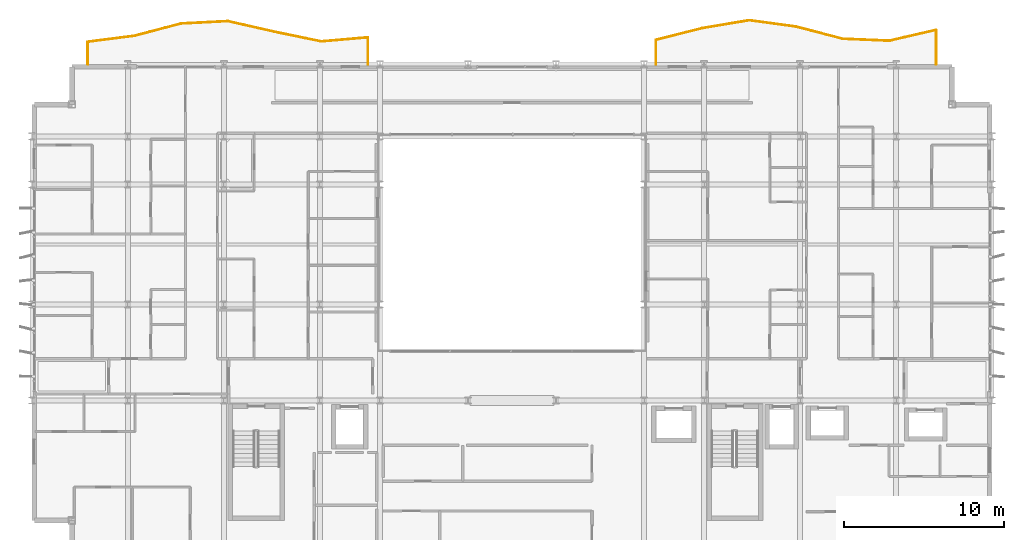
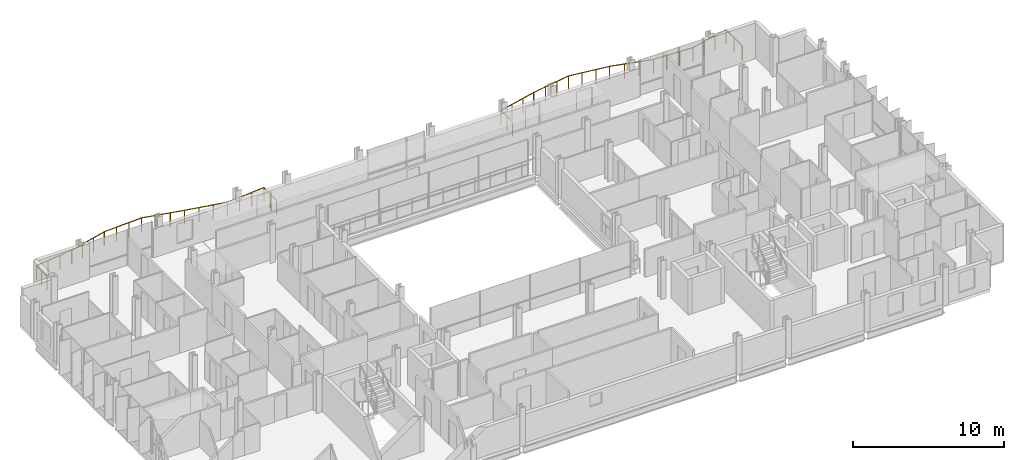
# One storey, part 38 of 38: 2 railings.
"""IFC4 building model written with IfcOpenShell, lengths in metres."""

from ifc_helpers import new_model, si_unit, direction, frame, origin, origin_2d, place, context, subcontext, project, spatial, circle, extrude, material, type_object, element, save


model = new_model("IFC4")

# Units and contexts
model_context = context("Model", 3, precision=1e-05, world=origin(), true_north=direction((0.0, 1.0)))
body_context = subcontext(model_context, "Body", "Model", "MODEL_VIEW")
ifc_project = project(units=[si_unit("LENGTHUNIT", "METRE"), si_unit("AREAUNIT", "SQUARE_METRE"), si_unit("VOLUMEUNIT", "CUBIC_METRE"), si_unit("PLANEANGLEUNIT", "RADIAN"), si_unit("MASSUNIT", "GRAM", prefix="KILO")], contexts=[model_context])

# Site, building, storey
site_placement = place(None, origin())
site = spatial("IfcSite", under=ifc_project, at=site_placement, CompositionType="ELEMENT")
building_placement = place(site_placement, origin())
building = spatial("IfcBuilding", under=site, at=building_placement, Name="Brevholm Reach", CompositionType="ELEMENT")
storey_placement = place(building_placement, frame((0.0, 0.0, 65.199951171875)))
storey = spatial("IfcBuildingStorey", under=building, at=storey_placement, Name="L18", CompositionType="ELEMENT", Elevation=65.199951171875)

# Railings
ifc_material = material(Name="Brushed Stainless Steel EN 1.4401 and Laminated Glass", Category="steel")
railing_type = type_object("IfcRailingType", Name="RAL-BALC-1150", PredefinedType="BALUSTRADE", material=ifc_material)
railing_1_placement = place(storey_placement, frame((56.5, 31.0, 0.0)))
element("IfcRailing", 1, at=railing_1_placement, inside=storey, type_object=railing_type, Name="L18 Guard Balustrade RAL-L18-BAL-NE", PredefinedType="BALUSTRADE", context=body_context, shape_type="SweptSolid", body=[
    extrude(circle(Radius=0.02392578125, at=origin_2d()), frame((0.0, 0.0, 1.1259765625), z_axis=(0.0, 1.0, 0.0), x_axis=(-1.0, 0.0, 0.0)), (0.0, 0.0, 1.0), 2.1455078125),
    extrude(circle(Radius=0.02392578125, at=origin_2d()), frame((0.0, 2.1455078125, 1.1259765625), z_axis=(-0.974086615793, -0.226175296912, 0.0), x_axis=(0.226175296912, -0.974086615793, 0.0)), (0.0, 0.0, 1.0), 2.994384765625),
    extrude(circle(Radius=0.02392578125, at=origin_2d()), frame((-2.916748046875, 1.46826171875, 1.1259765625), z_axis=(-0.999139150441, 0.041484431493, 0.0), x_axis=(-0.041484431493, -0.999139150441, 0.0)), (0.0, 0.0, 1.0), 2.9189453125),
    extrude(circle(Radius=0.02392578125, at=origin_2d()), frame((-5.833251953125, 1.58935546875, 1.1259765625), z_axis=(-0.967668860758, 0.252224058961, 0.0), x_axis=(-0.252224058961, -0.967668860758, 0.0)), (0.0, 0.0, 1.0), 3.01416015625),
    extrude(circle(Radius=0.02392578125, at=origin_2d()), frame((-8.75, 2.349609375, 1.1259765625), z_axis=(-0.990787222307, 0.135427767141, 0.0), x_axis=(-0.135427767141, -0.990787222307, 0.0)), (0.0, 0.0, 1.0), 2.94384765625),
    extrude(circle(Radius=0.02392578125, at=origin_2d()), frame((-11.666748046875, 2.748291015625, 1.1259765625), z_axis=(-0.986326897089, -0.164800643445, 0.0), x_axis=(0.164800643445, -0.986326897089, 0.0)), (0.0, 0.0, 1.0), 2.95703125),
    extrude(circle(Radius=0.02392578125, at=origin_2d()), frame((-14.583251953125, 2.260986328125, 1.1259765625), z_axis=(-0.969908046993, -0.243471518618, 0.0), x_axis=(0.243471518618, -0.969908046993, 0.0)), (0.0, 0.0, 1.0), 3.00732421875),
    extrude(circle(Radius=0.02392578125, at=origin_2d()), frame((-17.5, 1.52880859375, 1.1259765625), z_axis=(0.0, -1.0, 0.0), x_axis=(1.0, 0.0, 0.0)), (0.0, 0.0, 1.0), 1.52880859375),
    extrude(circle(Radius=0.02099609375, at=origin_2d()), origin(), (0.0, 0.0, 1.0), 1.101806640625),
    extrude(circle(Radius=0.02099609375, at=origin_2d()), frame((0.0, 1.07275390625, 0.0)), (0.0, 0.0, 1.0), 1.101806640625),
    extrude(circle(Radius=0.02099609375, at=origin_2d()), frame((0.0, 2.1455078125, 0.0)), (0.0, 0.0, 1.0), 1.101806640625),
    extrude(circle(Radius=0.02099609375, at=origin_2d()), frame((-0.97216796875, 1.919677734375, 0.0)), (0.0, 0.0, 1.0), 1.101806640625),
    extrude(circle(Radius=0.02099609375, at=origin_2d()), frame((-1.944580078125, 1.694091796875, 0.0)), (0.0, 0.0, 1.0), 1.101806640625),
    extrude(circle(Radius=0.02099609375, at=origin_2d()), frame((-2.916748046875, 1.46826171875, 0.0)), (0.0, 0.0, 1.0), 1.101806640625),
    extrude(circle(Radius=0.02099609375, at=origin_2d()), frame((-3.888916015625, 1.508544921875, 0.0)), (0.0, 0.0, 1.0), 1.101806640625),
    extrude(circle(Radius=0.02099609375, at=origin_2d()), frame((-4.861083984375, 1.549072265625, 0.0)), (0.0, 0.0, 1.0), 1.101806640625),
    extrude(circle(Radius=0.02099609375, at=origin_2d()), frame((-5.833251953125, 1.58935546875, 0.0)), (0.0, 0.0, 1.0), 1.101806640625),
    extrude(circle(Radius=0.02099609375, at=origin_2d()), frame((-6.805419921875, 1.8427734375, 0.0)), (0.0, 0.0, 1.0), 1.101806640625),
    extrude(circle(Radius=0.02099609375, at=origin_2d()), frame((-7.77783203125, 2.09619140625, 0.0)), (0.0, 0.0, 1.0), 1.101806640625),
    extrude(circle(Radius=0.02099609375, at=origin_2d()), frame((-8.75, 2.349609375, 0.0)), (0.0, 0.0, 1.0), 1.101806640625),
    extrude(circle(Radius=0.02099609375, at=origin_2d()), frame((-9.72216796875, 2.482421875, 0.0)), (0.0, 0.0, 1.0), 1.101806640625),
    extrude(circle(Radius=0.02099609375, at=origin_2d()), frame((-10.694580078125, 2.615478515625, 0.0)), (0.0, 0.0, 1.0), 1.101806640625),
    extrude(circle(Radius=0.02099609375, at=origin_2d()), frame((-11.666748046875, 2.748291015625, 0.0)), (0.0, 0.0, 1.0), 1.101806640625),
    extrude(circle(Radius=0.02099609375, at=origin_2d()), frame((-12.638916015625, 2.5859375, 0.0)), (0.0, 0.0, 1.0), 1.101806640625),
    extrude(circle(Radius=0.02099609375, at=origin_2d()), frame((-13.611083984375, 2.42333984375, 0.0)), (0.0, 0.0, 1.0), 1.101806640625),
    extrude(circle(Radius=0.02099609375, at=origin_2d()), frame((-14.583251953125, 2.260986328125, 0.0)), (0.0, 0.0, 1.0), 1.101806640625),
    extrude(circle(Radius=0.02099609375, at=origin_2d()), frame((-15.555419921875, 2.016845703125, 0.0)), (0.0, 0.0, 1.0), 1.101806640625),
    extrude(circle(Radius=0.02099609375, at=origin_2d()), frame((-16.52783203125, 1.77294921875, 0.0)), (0.0, 0.0, 1.0), 1.101806640625),
    extrude(circle(Radius=0.02099609375, at=origin_2d()), frame((-17.5, 1.52880859375, 0.0)), (0.0, 0.0, 1.0), 1.101806640625),
    extrude(circle(Radius=0.02099609375, at=origin_2d()), frame((-17.5, 0.764404296875, 0.0)), (0.0, 0.0, 1.0), 1.101806640625),
    extrude(circle(Radius=0.02099609375, at=origin_2d()), frame((-17.5, 0.0, 0.0)), (0.0, 0.0, 1.0), 1.101806640625),
])
railing_2_placement = place(storey_placement, frame((21.0, 31.0, 0.0)))
element("IfcRailing", 2, at=railing_2_placement, inside=storey, type_object=railing_type, Name="L18 Guard Balustrade RAL-L18-BAL-NW", PredefinedType="BALUSTRADE", context=body_context, shape_type="SweptSolid", body=[
    extrude(circle(Radius=0.02392578125, at=origin_2d()), frame((0.0, 0.0, 1.1259765625), z_axis=(0.0, 1.0, 0.0), x_axis=(-1.0, 0.0, 0.0)), (0.0, 0.0, 1.0), 1.67822265625),
    extrude(circle(Radius=0.02392578125, at=origin_2d()), frame((0.0, 1.67822265625, 1.1259765625), z_axis=(-0.996282713287, -0.086143805376, 0.0), x_axis=(0.086143805376, -0.996282713287, 0.0)), (0.0, 0.0, 1.0), 2.927734375),
    extrude(circle(Radius=0.02392578125, at=origin_2d()), frame((-2.916748046875, 1.426025390625, 1.1259765625), z_axis=(-0.979367411888, 0.202087784221, 0.0), x_axis=(-0.202087784221, -0.979367411888, 0.0)), (0.0, 0.0, 1.0), 2.97802734375),
    extrude(circle(Radius=0.02392578125, at=origin_2d()), frame((-5.833251953125, 2.02783203125, 1.1259765625), z_axis=(-0.975066268344, 0.221913884961, 0.0), x_axis=(-0.221913884961, -0.975066268344, 0.0)), (0.0, 0.0, 1.0), 2.991455078125),
    extrude(circle(Radius=0.02392578125, at=origin_2d()), frame((-8.75, 2.691650390625, 1.1259765625), z_axis=(-0.998720239463, -0.050575520622, 0.0), x_axis=(0.050575520622, -0.998720239463, 0.0)), (0.0, 0.0, 1.0), 2.92041015625),
    extrude(circle(Radius=0.02392578125, at=origin_2d()), frame((-11.666748046875, 2.5439453125, 1.1259765625), z_axis=(-0.967287116441, -0.253684123205, 0.0), x_axis=(0.253684123205, -0.967287116441, 0.0)), (0.0, 0.0, 1.0), 3.01513671875),
    extrude(circle(Radius=0.02392578125, at=origin_2d()), frame((-14.583251953125, 1.779052734375, 1.1259765625), z_axis=(-0.991825721968, -0.127599910828, 0.0), x_axis=(0.127599910828, -0.991825721968, 0.0)), (0.0, 0.0, 1.0), 2.940673828125),
    extrude(circle(Radius=0.02392578125, at=origin_2d()), frame((-17.5, 1.40380859375, 1.1259765625), z_axis=(0.0, -1.0, 0.0), x_axis=(1.0, 0.0, 0.0)), (0.0, 0.0, 1.0), 1.40380859375),
    extrude(circle(Radius=0.02099609375, at=origin_2d()), origin(), (0.0, 0.0, 1.0), 1.101806640625),
    extrude(circle(Radius=0.02099609375, at=origin_2d()), frame((0.0, 0.839111328125, 0.0)), (0.0, 0.0, 1.0), 1.101806640625),
    extrude(circle(Radius=0.02099609375, at=origin_2d()), frame((0.0, 1.67822265625, 0.0)), (0.0, 0.0, 1.0), 1.101806640625),
    extrude(circle(Radius=0.02099609375, at=origin_2d()), frame((-0.97216796875, 1.59423828125, 0.0)), (0.0, 0.0, 1.0), 1.101806640625),
    extrude(circle(Radius=0.02099609375, at=origin_2d()), frame((-1.944580078125, 1.510009765625, 0.0)), (0.0, 0.0, 1.0), 1.101806640625),
    extrude(circle(Radius=0.02099609375, at=origin_2d()), frame((-2.916748046875, 1.426025390625, 0.0)), (0.0, 0.0, 1.0), 1.101806640625),
    extrude(circle(Radius=0.02099609375, at=origin_2d()), frame((-3.888916015625, 1.626708984375, 0.0)), (0.0, 0.0, 1.0), 1.101806640625),
    extrude(circle(Radius=0.02099609375, at=origin_2d()), frame((-4.861083984375, 1.8271484375, 0.0)), (0.0, 0.0, 1.0), 1.101806640625),
    extrude(circle(Radius=0.02099609375, at=origin_2d()), frame((-5.833251953125, 2.02783203125, 0.0)), (0.0, 0.0, 1.0), 1.101806640625),
    extrude(circle(Radius=0.02099609375, at=origin_2d()), frame((-6.805419921875, 2.2490234375, 0.0)), (0.0, 0.0, 1.0), 1.101806640625),
    extrude(circle(Radius=0.02099609375, at=origin_2d()), frame((-7.77783203125, 2.470458984375, 0.0)), (0.0, 0.0, 1.0), 1.101806640625),
    extrude(circle(Radius=0.02099609375, at=origin_2d()), frame((-8.75, 2.691650390625, 0.0)), (0.0, 0.0, 1.0), 1.101806640625),
    extrude(circle(Radius=0.02099609375, at=origin_2d()), frame((-9.72216796875, 2.642333984375, 0.0)), (0.0, 0.0, 1.0), 1.101806640625),
    extrude(circle(Radius=0.02099609375, at=origin_2d()), frame((-10.694580078125, 2.59326171875, 0.0)), (0.0, 0.0, 1.0), 1.101806640625),
    extrude(circle(Radius=0.02099609375, at=origin_2d()), frame((-11.666748046875, 2.5439453125, 0.0)), (0.0, 0.0, 1.0), 1.101806640625),
    extrude(circle(Radius=0.02099609375, at=origin_2d()), frame((-12.638916015625, 2.2890625, 0.0)), (0.0, 0.0, 1.0), 1.101806640625),
    extrude(circle(Radius=0.02099609375, at=origin_2d()), frame((-13.611083984375, 2.033935546875, 0.0)), (0.0, 0.0, 1.0), 1.101806640625),
    extrude(circle(Radius=0.02099609375, at=origin_2d()), frame((-14.583251953125, 1.779052734375, 0.0)), (0.0, 0.0, 1.0), 1.101806640625),
    extrude(circle(Radius=0.02099609375, at=origin_2d()), frame((-15.555419921875, 1.654052734375, 0.0)), (0.0, 0.0, 1.0), 1.101806640625),
    extrude(circle(Radius=0.02099609375, at=origin_2d()), frame((-16.52783203125, 1.52880859375, 0.0)), (0.0, 0.0, 1.0), 1.101806640625),
    extrude(circle(Radius=0.02099609375, at=origin_2d()), frame((-17.5, 1.40380859375, 0.0)), (0.0, 0.0, 1.0), 1.101806640625),
    extrude(circle(Radius=0.02099609375, at=origin_2d()), frame((-17.5, 0.701904296875, 0.0)), (0.0, 0.0, 1.0), 1.101806640625),
    extrude(circle(Radius=0.02099609375, at=origin_2d()), frame((-17.5, 0.0, 0.0)), (0.0, 0.0, 1.0), 1.101806640625),
])

save(model, "model.ifc")
